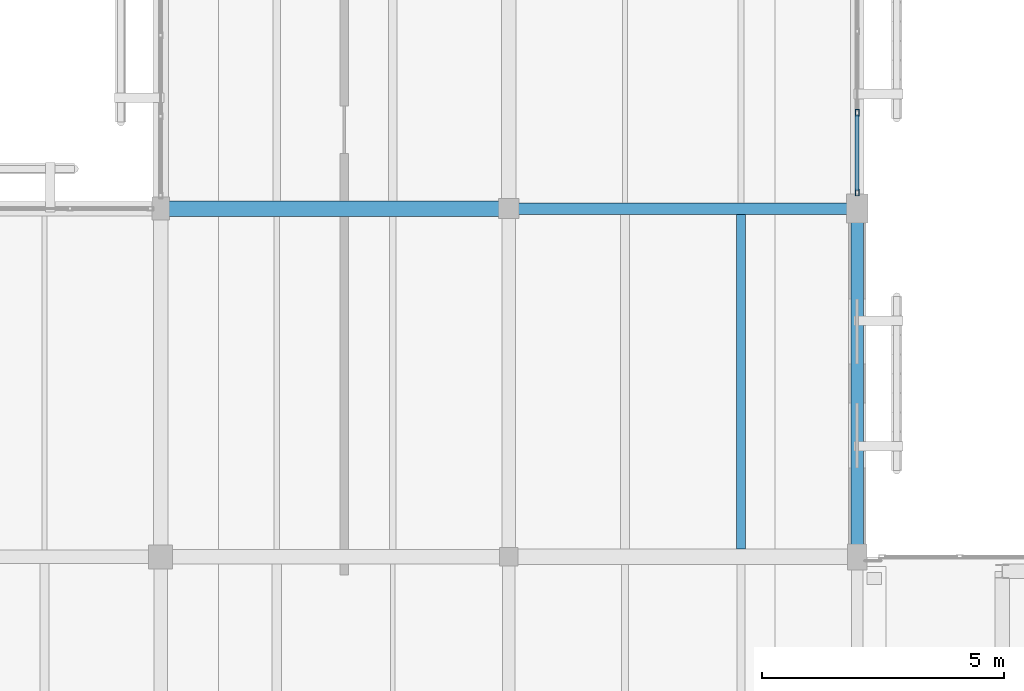
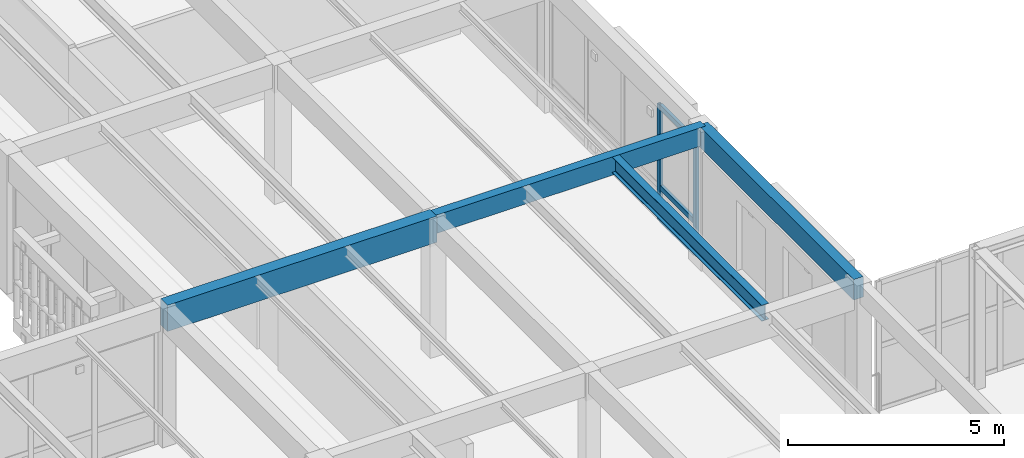
# One storey, part 21 of 112: 5 members, 4 beams, 1 element without a shape of its own.
"""IFC4 building model written with IfcOpenShell, lengths in metres."""

from ifc_helpers import new_model, si_unit, direction, frame, origin, origin_2d, place, context, subcontext, project, spatial, rectangle, hollow_rectangle, i_section, extrude, material, layer, layer_set, material_profile, profile_set, type_object, element, aggregate, save


model = new_model("IFC4")

# Units and contexts
model_context = context("Model", 3, precision=1e-05, world=origin(), true_north=direction((0.0, 1.0)))
body_context = subcontext(model_context, "Body", "Model", "MODEL_VIEW")
ifc_project = project(units=[si_unit("LENGTHUNIT", "METRE"), si_unit("AREAUNIT", "SQUARE_METRE"), si_unit("VOLUMEUNIT", "CUBIC_METRE"), si_unit("PLANEANGLEUNIT", "RADIAN"), si_unit("MASSUNIT", "GRAM", prefix="KILO")], contexts=[model_context])

# Site, building, storey
site_placement = place(None, origin())
site = spatial("IfcSite", under=ifc_project, at=site_placement, CompositionType="ELEMENT")
building_placement = place(site_placement, origin())
building = spatial("IfcBuilding", under=site, at=building_placement, Name="Mazaris Harbour Polytechnic", CompositionType="ELEMENT")
storey_placement = place(building_placement, frame((0.0, 0.0, 13.800048828125)))
storey = spatial("IfcBuildingStorey", under=building, at=storey_placement, Name="L03", CompositionType="ELEMENT", Elevation=13.800048828125)

# Curtain wall, members
ifc_material_1 = material(Name="Anodised Bronze Aluminium and Low-E Glass", Category="aluminium")
ifc_layer = layer(ifc_material_1, 0.159912109375, Name="Anodised Bronze Aluminium and Low-E Glass")
ifc_layer_set = layer_set([ifc_layer], Name="Anodised Bronze Aluminium and Low-E Glass")
curtain_wall_type = type_object("IfcCurtainWallType", Name="Cloister Court Curtain Wall", PredefinedType="NOTDEFINED", material=ifc_layer_set)
curtain_wall_placement = place(storey_placement, origin())
curtain_wall = element("IfcCurtainWall", 1, at=curtain_wall_placement, inside=storey, type_object=curtain_wall_type, Name="V4 L03 Curtain Wall 146", PredefinedType="NOTDEFINED")
ifc_material_2 = material(Name="Anodised Bronze Steel S355", Category="steel")
ifc_material_profile_1 = material_profile(ifc_material_2, hollow_rectangle(XDim=0.080078125, YDim=0.139892578125, WallThickness=0.00634765625, at=origin_2d()), Name="RHS 80x140x6.3")
ifc_profile_set_1 = profile_set([ifc_material_profile_1], Name="Anodised Bronze Steel S355")
member_type_1 = type_object("IfcMemberType", Name="Curtain Mullion RHS80x140", PredefinedType="MULLION", material=ifc_profile_set_1)
member_1_placement = place(storey_placement, frame((43.199951171875, 37.978515625, 0.0), z_axis=(0.0, 0.0, 1.0), x_axis=(1.0, 0.0, 0.0)))
member_1 = element("IfcMember", 2, at=member_1_placement, type_object=member_type_1, Name="CW-02 mullion 4", PredefinedType="MULLION", context=body_context, shape_type="SweptSolid", body=[
    extrude(hollow_rectangle(XDim=0.080078125, YDim=0.139892578125, WallThickness=0.00634765625, at=origin_2d()), origin(), (0.0, 0.0, 1.0), 3.27001953125),
])
member_2_placement = place(storey_placement, frame((43.199951171875, 36.33203125, 0.0), z_axis=(0.0, 0.0, 1.0), x_axis=(1.0, 0.0, 0.0)))
member_2 = element("IfcMember", 3, at=member_2_placement, type_object=member_type_1, Name="CW-02 mullion 5", PredefinedType="MULLION", context=body_context, shape_type="SweptSolid", body=[
    extrude(hollow_rectangle(XDim=0.080078125, YDim=0.139892578125, WallThickness=0.00634765625, at=origin_2d()), origin(), (0.0, 0.0, 1.0), 3.27001953125),
])
ifc_material_3 = material(Name="Anodised Bronze Steel S355", Category="steel")
ifc_material_profile_2 = material_profile(ifc_material_3, hollow_rectangle(XDim=0.080078125, YDim=0.139892578125, WallThickness=0.00634765625, at=origin_2d()), Name="RHS 80x140x6.3")
ifc_profile_set_2 = profile_set([ifc_material_profile_2], Name="Anodised Bronze Steel S355")
member_type_2 = type_object("IfcMemberType", Name="Curtain Transom RHS80x140", PredefinedType="USERDEFINED", material=ifc_profile_set_2)
member_3_placement = place(storey_placement, frame((43.199951171875, 37.9384765625, 0.0400390625), z_axis=(0.0, -1.0, 0.0), x_axis=(1.0, 0.0, 0.0)))
member_3 = element("IfcMember", 4, at=member_3_placement, type_object=member_type_2, Name="CW-02 transom 4.1", ObjectType="TRANSOM", PredefinedType="USERDEFINED", context=body_context, shape_type="SweptSolid", body=[
    extrude(hollow_rectangle(XDim=0.080078125, YDim=0.139892578125, WallThickness=0.00634765625, at=origin_2d()), origin(), (0.0, 0.0, 1.0), 1.56640625),
])
member_4_placement = place(storey_placement, frame((43.199951171875, 37.9384765625, 0.949951171875), z_axis=(0.0, -1.0, 0.0), x_axis=(1.0, 0.0, 0.0)))
member_4 = element("IfcMember", 5, at=member_4_placement, type_object=member_type_2, Name="CW-02 transom 4.2", ObjectType="TRANSOM", PredefinedType="USERDEFINED", context=body_context, shape_type="SweptSolid", body=[
    extrude(hollow_rectangle(XDim=0.080078125, YDim=0.139892578125, WallThickness=0.00634765625, at=origin_2d()), origin(), (0.0, 0.0, 1.0), 1.56640625),
])
member_5_placement = place(storey_placement, frame((43.199951171875, 37.9384765625, 3.22998046875), z_axis=(0.0, -1.0, 0.0), x_axis=(1.0, 0.0, 0.0)))
member_5 = element("IfcMember", 6, at=member_5_placement, type_object=member_type_2, Name="CW-02 transom 4.3", ObjectType="TRANSOM", PredefinedType="USERDEFINED", context=body_context, shape_type="SweptSolid", body=[
    extrude(hollow_rectangle(XDim=0.080078125, YDim=0.139892578125, WallThickness=0.00634765625, at=origin_2d()), origin(), (0.0, 0.0, 1.0), 1.56640625),
])
aggregate(curtain_wall, [member_1, member_2, member_3, member_4, member_5])

# Beams
ifc_material_4 = material(Name="Glulam GL32h", Category="wood")
ifc_material_profile_3 = material_profile(ifc_material_4, rectangle(XDim=0.239990234375, YDim=0.52001953125, at=origin_2d()), Name="RECT240x520")
ifc_profile_set_3 = profile_set([ifc_material_profile_3], Name="Glulam GL32h")
beam_type_1 = type_object("IfcBeamType", Name="Glulam Girder 240x520", PredefinedType="BEAM", material=ifc_profile_set_3)
beam_1_placement = place(storey_placement, frame((36.0, 36.0, 3.659912109375), z_axis=(1.0, 0.0, 0.0), x_axis=(0.0, 1.0, 0.0)))
element("IfcBeam", 7, at=beam_1_placement, inside=storey, type_object=beam_type_1, Name="V4 L03 Girder 2195", PredefinedType="BEAM", context=body_context, shape_type="SweptSolid", body=[
    extrude(rectangle(XDim=0.239990234375, YDim=0.52001953125, at=origin_2d()), origin(), (0.0, 0.0, 1.0), 7.199951171875),
])
ifc_material_5 = material(Name="Glulam GL32h", Category="wood")
ifc_material_profile_4 = material_profile(ifc_material_5, rectangle(XDim=0.260009765625, YDim=0.580078125, at=origin_2d()), Name="RECT260x580")
ifc_profile_set_4 = profile_set([ifc_material_profile_4], Name="Glulam GL32h")
beam_type_2 = type_object("IfcBeamType", Name="Glulam Girder 260x580 Exterior", PredefinedType="BEAM", material=ifc_profile_set_4)
beam_2_placement = place(storey_placement, frame((43.199951171875, 28.800048828125, 3.6298828125), z_axis=(0.0, 1.0, 0.0), x_axis=(-1.0, 0.0, 0.0)))
element("IfcBeam", 8, at=beam_2_placement, inside=storey, type_object=beam_type_2, Name="V4 L03 Tie Girder 2271", PredefinedType="BEAM", context=body_context, shape_type="SweptSolid", body=[
    extrude(rectangle(XDim=0.260009765625, YDim=0.580078125, at=origin_2d()), origin(), (0.0, 0.0, 1.0), 7.199951171875),
])
ifc_material_6 = material(Name="Glulam GL32h", Category="wood")
ifc_material_profile_5 = material_profile(ifc_material_6, rectangle(XDim=0.320068359375, YDim=0.739990234375, at=origin_2d()), Name="RECT320x740")
ifc_profile_set_5 = profile_set([ifc_material_profile_5], Name="Glulam GL32h")
beam_type_3 = type_object("IfcBeamType", Name="Glulam Girder 320x740", PredefinedType="BEAM", material=ifc_profile_set_5)
beam_3_placement = place(storey_placement, frame((28.800048828125, 36.0, 3.550048828125), z_axis=(1.0, 0.0, 0.0), x_axis=(0.0, 1.0, 0.0)))
element("IfcBeam", 9, at=beam_3_placement, inside=storey, type_object=beam_type_3, Name="V4 L03 Girder 2194", PredefinedType="BEAM", context=body_context, shape_type="SweptSolid", body=[
    extrude(rectangle(XDim=0.320068359375, YDim=0.739990234375, at=origin_2d()), origin(), (0.0, 0.0, 1.0), 7.199951171875),
])
ifc_material_7 = material(Name="Steel S355", Category="steel")
ifc_material_profile_6 = material_profile(ifc_material_7, i_section(OverallWidth=0.18994140625, OverallDepth=0.449951171875, WebThickness=0.009521484375, FlangeThickness=0.0146484375, FilletRadius=0.02099609375, at=origin_2d()), Name="IPE 450")
ifc_profile_set_6 = profile_set([ifc_material_profile_6], Name="Steel S355")
beam_type_4 = type_object("IfcBeamType", Name="Steel Joist IPE450", PredefinedType="JOIST", material=ifc_profile_set_6)
beam_4_placement = place(storey_placement, frame((40.800048828125, 28.9599609375, 3.695068359375), z_axis=(0.0, 1.0, 0.0), x_axis=(-1.0, 0.0, 0.0)))
element("IfcBeam", 10, at=beam_4_placement, inside=storey, type_object=beam_type_4, Name="V4 L03 Floor Joist 2351", PredefinedType="JOIST", context=body_context, shape_type="SweptSolid", body=[
    extrude(i_section(OverallWidth=0.18994140625, OverallDepth=0.449951171875, WebThickness=0.009521484375, FlangeThickness=0.0146484375, FilletRadius=0.02099609375, at=origin_2d()), origin(), (0.0, 0.0, 1.0), 6.919921875),
])

save(model, "model.ifc")
